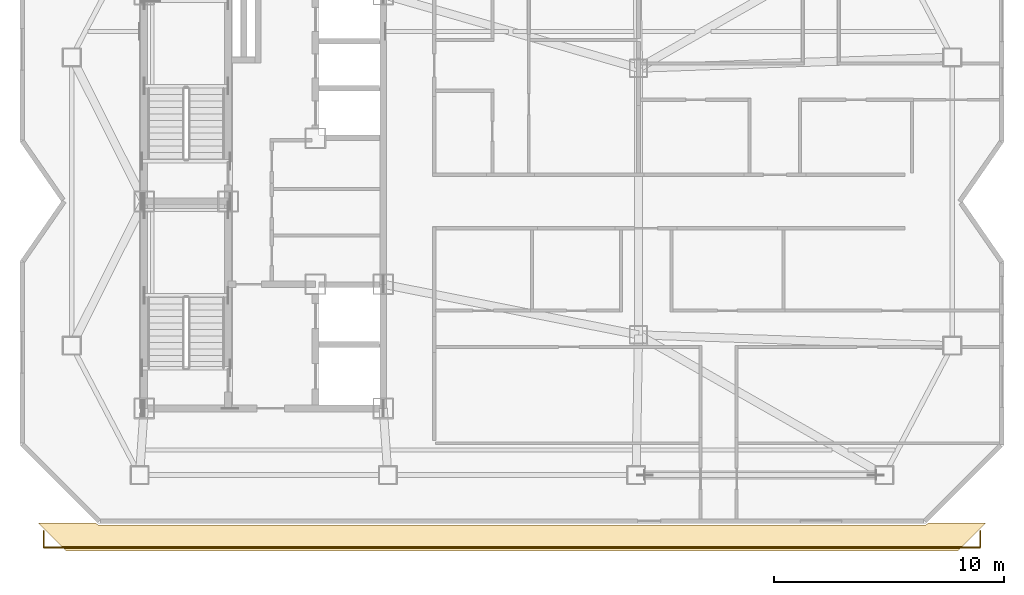
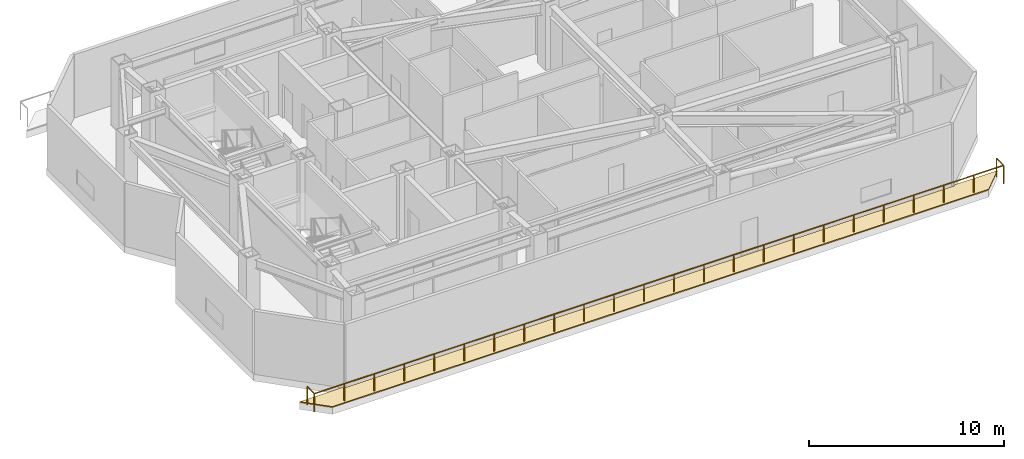
# One storey, part 9 of 11: 1 covering, 1 railing.
"""IFC4 building model written with IfcOpenShell, lengths in metres."""

from ifc_helpers import new_model, si_unit, direction, frame, origin, origin_2d, place, context, subcontext, project, spatial, polyline, circle, outline, extrude, material, layer, layer_set, type_object, element, save


model = new_model("IFC4")

# Units and contexts
model_context = context("Model", 3, precision=1e-05, world=origin(), true_north=direction((0.0, 1.0)))
body_context = subcontext(model_context, "Body", "Model", "MODEL_VIEW")
ifc_project = project(units=[si_unit("LENGTHUNIT", "METRE"), si_unit("AREAUNIT", "SQUARE_METRE"), si_unit("VOLUMEUNIT", "CUBIC_METRE"), si_unit("PLANEANGLEUNIT", "RADIAN"), si_unit("MASSUNIT", "GRAM", prefix="KILO")], contexts=[model_context])

# Site, building, storey
site_placement = place(None, origin())
site = spatial("IfcSite", under=ifc_project, at=site_placement, CompositionType="ELEMENT")
building_placement = place(site_placement, origin())
building = spatial("IfcBuilding", under=site, at=building_placement, Name="Khamvora Tower", CompositionType="ELEMENT")
storey_placement = place(building_placement, frame((0.0, 0.0, 277.85009765625)))
storey = spatial("IfcBuildingStorey", under=building, at=storey_placement, Name="L71", CompositionType="ELEMENT", Elevation=277.85009765625)

# Covering
ifc_material_1 = material(Name="Insulated Elastomeric Roof Waterproofing System", Category="membrane")
ifc_layer = layer(ifc_material_1, 0.0849609375)
ifc_layer_set = layer_set([ifc_layer], Name="Insulated Elastomeric Roof Waterproofing System")
covering_type = type_object("IfcCoveringType", Name="COV-ROOF-MEM", PredefinedType="ROOFING", material=ifc_layer_set)
covering_placement = place(storey_placement, origin())
element("IfcCovering", 1, at=covering_placement, inside=storey, type_object=covering_type, Name="L71 terrace waterproofing paving 1", PredefinedType="ROOFING", context=body_context, shape_type="SweptSolid", body=[
    extrude(outline(polyline([(64.39990234375, 12.800048828125), (25.60009765625, 12.800048828125), (24.3798828125, 14.02001953125), (26.89501953125, 14.02001953125), (26.9580078125, 13.9580078125), (26.9619140625, 13.9541015625), (26.967041015625, 13.949951171875), (26.971923828125, 13.947021484375), (26.97705078125, 13.945068359375), (26.98291015625, 13.943115234375), (26.988037109375, 13.94091796875), (26.993896484375, 13.93994140625), (27.0, 13.93994140625), (63.0, 13.93994140625), (63.006103515625, 13.93994140625), (63.011962890625, 13.94091796875), (63.01708984375, 13.943115234375), (63.02294921875, 13.945068359375), (63.028076171875, 13.947021484375), (63.032958984375, 13.949951171875), (63.0380859375, 13.9541015625), (63.0419921875, 13.9580078125), (63.10498046875, 14.02001953125), (65.6201171875, 14.02001953125), (64.39990234375, 12.800048828125)])), origin(), (0.0, 0.0, 1.0), 0.06494140625),
])

# Railing
ifc_material_2 = material(Name="Laminated Structural Safety Glass and Stainless Steel", Category="steel")
railing_type = type_object("IfcRailingType", Name="RAL-POOL-1150", PredefinedType="BALUSTRADE", material=ifc_material_2)
railing_placement = place(storey_placement, frame((24.6298828125, 13.669921875, 0.0)))
element("IfcRailing", 2, at=railing_placement, inside=storey, type_object=railing_type, Name="L71 stepped roof terrace balustrade 1", PredefinedType="BALUSTRADE", context=body_context, shape_type="SweptSolid", body=[
    extrude(circle(Radius=0.02392578125, at=origin_2d()), frame((0.0, 0.0, 1.1259765625), z_axis=(0.0, -1.0, 0.0), x_axis=(1.0, 0.0, 0.0)), (0.0, 0.0, 1.0), 0.719970703125),
    extrude(circle(Radius=0.02392578125, at=origin_2d()), frame((0.0, -0.719970703125, 1.1259765625), z_axis=(1.0, 0.0, 0.0), x_axis=(0.0, 1.0, 0.0)), (0.0, 0.0, 1.0), 40.740234375),
    extrude(circle(Radius=0.02392578125, at=origin_2d()), frame((40.740234375, -0.719970703125, 1.1259765625), z_axis=(0.0, 1.0, 0.0), x_axis=(-1.0, 0.0, 0.0)), (0.0, 0.0, 1.0), 0.719970703125),
    extrude(circle(Radius=0.02099609375, at=origin_2d()), origin(), (0.0, 0.0, 1.0), 1.101806640625),
    extrude(circle(Radius=0.02099609375, at=origin_2d()), frame((0.0, -0.719970703125, 0.0)), (0.0, 0.0, 1.0), 1.101806640625),
    extrude(circle(Radius=0.02099609375, at=origin_2d()), frame((1.771240234375, -0.719970703125, 0.0)), (0.0, 0.0, 1.0), 1.101806640625),
    extrude(circle(Radius=0.02099609375, at=origin_2d()), frame((3.542724609375, -0.719970703125, 0.0)), (0.0, 0.0, 1.0), 1.101806640625),
    extrude(circle(Radius=0.02099609375, at=origin_2d()), frame((5.31396484375, -0.719970703125, 0.0)), (0.0, 0.0, 1.0), 1.101806640625),
    extrude(circle(Radius=0.02099609375, at=origin_2d()), frame((7.085205078125, -0.719970703125, 0.0)), (0.0, 0.0, 1.0), 1.101806640625),
    extrude(circle(Radius=0.02099609375, at=origin_2d()), frame((8.856689453125, -0.719970703125, 0.0)), (0.0, 0.0, 1.0), 1.101806640625),
    extrude(circle(Radius=0.02099609375, at=origin_2d()), frame((10.6279296875, -0.719970703125, 0.0)), (0.0, 0.0, 1.0), 1.101806640625),
    extrude(circle(Radius=0.02099609375, at=origin_2d()), frame((12.399169921875, -0.719970703125, 0.0)), (0.0, 0.0, 1.0), 1.101806640625),
    extrude(circle(Radius=0.02099609375, at=origin_2d()), frame((14.17041015625, -0.719970703125, 0.0)), (0.0, 0.0, 1.0), 1.101806640625),
    extrude(circle(Radius=0.02099609375, at=origin_2d()), frame((15.94189453125, -0.719970703125, 0.0)), (0.0, 0.0, 1.0), 1.101806640625),
    extrude(circle(Radius=0.02099609375, at=origin_2d()), frame((17.713134765625, -0.719970703125, 0.0)), (0.0, 0.0, 1.0), 1.101806640625),
    extrude(circle(Radius=0.02099609375, at=origin_2d()), frame((19.484375, -0.719970703125, 0.0)), (0.0, 0.0, 1.0), 1.101806640625),
    extrude(circle(Radius=0.02099609375, at=origin_2d()), frame((21.255859375, -0.719970703125, 0.0)), (0.0, 0.0, 1.0), 1.101806640625),
    extrude(circle(Radius=0.02099609375, at=origin_2d()), frame((23.027099609375, -0.719970703125, 0.0)), (0.0, 0.0, 1.0), 1.101806640625),
    extrude(circle(Radius=0.02099609375, at=origin_2d()), frame((24.79833984375, -0.719970703125, 0.0)), (0.0, 0.0, 1.0), 1.101806640625),
    extrude(circle(Radius=0.02099609375, at=origin_2d()), frame((26.56982421875, -0.719970703125, 0.0)), (0.0, 0.0, 1.0), 1.101806640625),
    extrude(circle(Radius=0.02099609375, at=origin_2d()), frame((28.341064453125, -0.719970703125, 0.0)), (0.0, 0.0, 1.0), 1.101806640625),
    extrude(circle(Radius=0.02099609375, at=origin_2d()), frame((30.1123046875, -0.719970703125, 0.0)), (0.0, 0.0, 1.0), 1.101806640625),
    extrude(circle(Radius=0.02099609375, at=origin_2d()), frame((31.883544921875, -0.719970703125, 0.0)), (0.0, 0.0, 1.0), 1.101806640625),
    extrude(circle(Radius=0.02099609375, at=origin_2d()), frame((33.655029296875, -0.719970703125, 0.0)), (0.0, 0.0, 1.0), 1.101806640625),
    extrude(circle(Radius=0.02099609375, at=origin_2d()), frame((35.42626953125, -0.719970703125, 0.0)), (0.0, 0.0, 1.0), 1.101806640625),
    extrude(circle(Radius=0.02099609375, at=origin_2d()), frame((37.197509765625, -0.719970703125, 0.0)), (0.0, 0.0, 1.0), 1.101806640625),
    extrude(circle(Radius=0.02099609375, at=origin_2d()), frame((38.968994140625, -0.719970703125, 0.0)), (0.0, 0.0, 1.0), 1.101806640625),
    extrude(circle(Radius=0.02099609375, at=origin_2d()), frame((40.740234375, -0.719970703125, 0.0)), (0.0, 0.0, 1.0), 1.101806640625),
    extrude(circle(Radius=0.02099609375, at=origin_2d()), frame((40.740234375, 0.0, 0.0)), (0.0, 0.0, 1.0), 1.101806640625),
])

save(model, "model.ifc")
